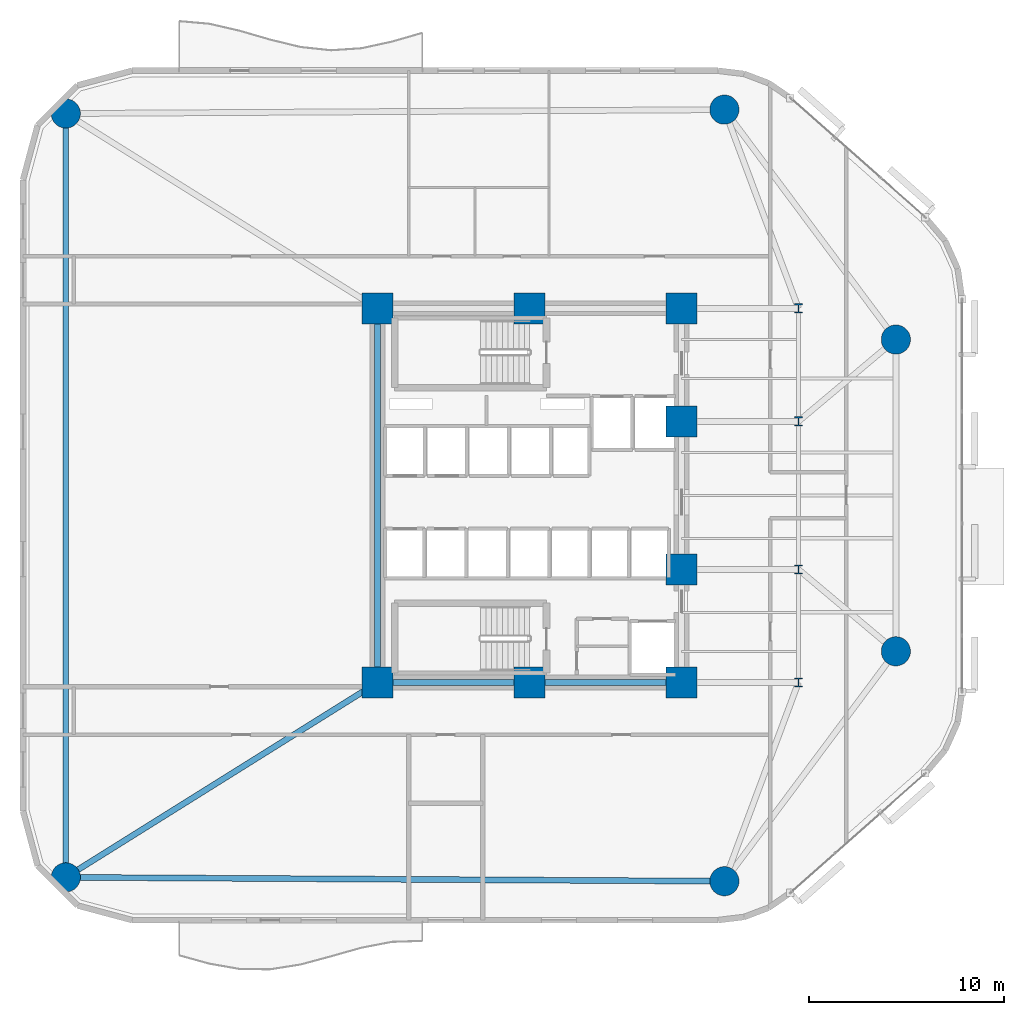
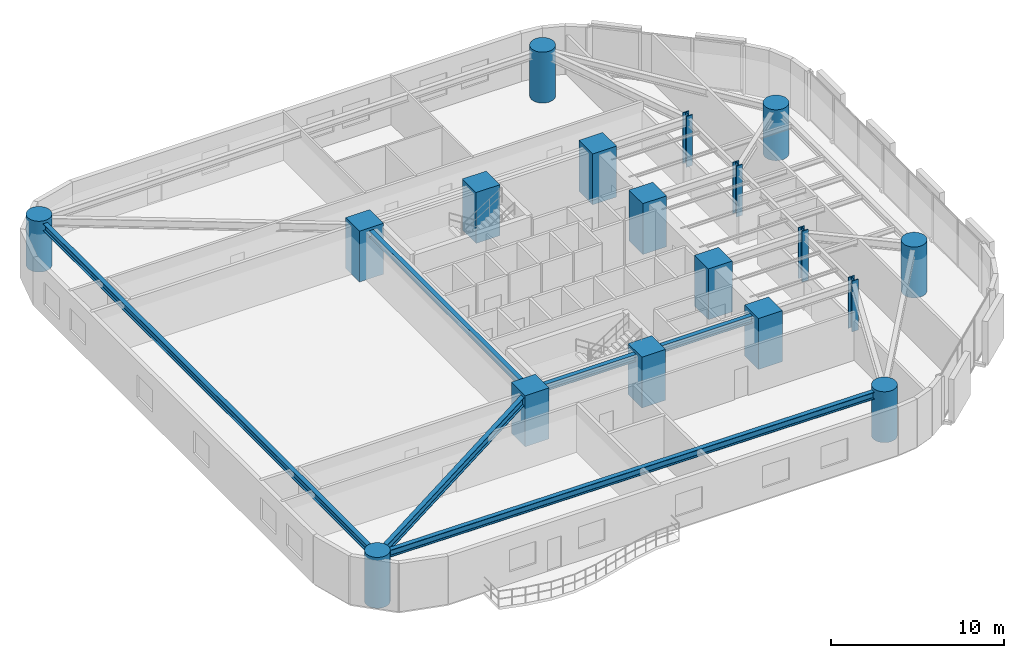
# One storey, part 1 of 15: 18 columns, 5 beams.
"""IFC4 building model written with IfcOpenShell, lengths in metres."""

from ifc_helpers import new_model, si_unit, direction, frame, origin, origin_2d, place, context, subcontext, project, spatial, rectangle, circle, i_section, extrude, material, material_profile, profile_set, type_object, element, save


model = new_model("IFC4")

# Units and contexts
model_context = context("Model", 3, precision=1e-05, world=origin(), true_north=direction((0.0, 1.0)))
body_context = subcontext(model_context, "Body", "Model", "MODEL_VIEW")
ifc_project = project(units=[si_unit("LENGTHUNIT", "METRE"), si_unit("AREAUNIT", "SQUARE_METRE"), si_unit("VOLUMEUNIT", "CUBIC_METRE"), si_unit("PLANEANGLEUNIT", "RADIAN"), si_unit("MASSUNIT", "GRAM", prefix="KILO")], contexts=[model_context])

# Site, building, storey
site_placement = place(None, origin())
site = spatial("IfcSite", under=ifc_project, at=site_placement, CompositionType="ELEMENT")
building_placement = place(site_placement, origin())
building = spatial("IfcBuilding", under=site, at=building_placement, Name="An Khanh Terracotta Commons", CompositionType="ELEMENT")
storey_placement = place(building_placement, frame((0.0, 0.0, 61.199951171875)))
storey = spatial("IfcBuildingStorey", under=building, at=storey_placement, Name="L16", CompositionType="ELEMENT", Elevation=61.199951171875)

# Columns
ifc_material_1 = material(Name="Concrete C70/85", Category="concrete")
ifc_material_profile_1 = material_profile(ifc_material_1, circle(Radius=0.75, at=origin_2d()), Name="CFST1500")
ifc_profile_set_1 = profile_set([ifc_material_profile_1], Name="Concrete C70/85")
column_type_1 = type_object("IfcColumnType", Name="COL-CFST1500", PredefinedType="COLUMN", material=ifc_profile_set_1)
for number, where, z_axis, x_axis, name in (
    (1, (5.60009765625, 4.39990234375, 0.0), (0.0, 0.0, 1.0), (1.0, 0.0, 0.0), "L16 Perimeter CFST Mega-Column MC-01"),
    (2, (39.39990234375, 4.199951171875, 0.0), (0.0, 0.0, 1.0), (1.0, 0.0, 0.0), "L16 Perimeter CFST Mega-Column MC-02"),
    (3, (48.199951171875, 16.0, 0.0), (0.0, 0.0, 1.0), (1.0, 0.0, 0.0), "L16 Perimeter CFST Mega-Column MC-03"),
    (4, (48.199951171875, 32.0, 0.0), (0.0, 0.0, 1.0), (1.0, 0.0, 0.0), "L16 Perimeter CFST Mega-Column MC-04"),
    (5, (39.39990234375, 43.800048828125, 0.0), (0.0, 0.0, 1.0), (1.0, 0.0, 0.0), "L16 Perimeter CFST Mega-Column MC-05"),
    (6, (5.60009765625, 43.60009765625, 0.0), (0.0, 0.0, 1.0), (1.0, 0.0, 0.0), "L16 Perimeter CFST Mega-Column MC-06"),
):
    element("IfcColumn", number, at=place(storey_placement, frame(where, z_axis=z_axis, x_axis=x_axis)), inside=storey, type_object=column_type_1, Name=name, PredefinedType="COLUMN", context=body_context, shape_type="SweptSolid", body=[
        extrude(circle(Radius=0.75, at=origin_2d()), origin(), (0.0, 0.0, 1.0), 3.60009765625),
    ])
ifc_material_2 = material(Name="Steel S460ML", Category="steel")
ifc_material_profile_2 = material_profile(ifc_material_2, i_section(OverallWidth=0.4169921875, OverallDepth=0.47705078125, WebThickness=0.035888671875, FlangeThickness=0.057373046875, FilletRadius=0.014892578125, at=origin_2d()), Name="HD400x463")
ifc_profile_set_2 = profile_set([ifc_material_profile_2], Name="Steel S460ML")
column_type_2 = type_object("IfcColumnType", Name="COL-HD400x463", PredefinedType="COLUMN", material=ifc_profile_set_2)
for number, where, z_axis, x_axis, name in (
    (7, (43.199951171875, 14.39990234375, 0.0), (0.0, 0.0, 1.0), (1.0, 0.0, 0.0), "L16 Interior Frame Column TC-01"),
    (8, (43.199951171875, 20.199951171875, 0.0), (0.0, 0.0, 1.0), (1.0, 0.0, 0.0), "L16 Interior Frame Column TC-02"),
    (9, (43.199951171875, 27.800048828125, 0.0), (0.0, 0.0, 1.0), (1.0, 0.0, 0.0), "L16 Interior Frame Column TC-03"),
    (10, (43.199951171875, 33.60009765625, 0.0), (0.0, 0.0, 1.0), (1.0, 0.0, 0.0), "L16 Interior Frame Column TC-04"),
):
    element("IfcColumn", number, at=place(storey_placement, frame(where, z_axis=z_axis, x_axis=x_axis)), inside=storey, type_object=column_type_2, Name=name, PredefinedType="COLUMN", context=body_context, shape_type="SweptSolid", body=[
        extrude(i_section(OverallWidth=0.4169921875, OverallDepth=0.47705078125, WebThickness=0.035888671875, FlangeThickness=0.057373046875, FilletRadius=0.014892578125, at=origin_2d()), origin(), (0.0, 0.0, 1.0), 3.60009765625),
    ])
ifc_material_profile_3 = material_profile(ifc_material_1, rectangle(XDim=1.60009765625, YDim=1.60009765625, at=origin_2d()), Name="RC1600x1600")
ifc_profile_set_3 = profile_set([ifc_material_profile_3], Name="Concrete C70/85")
column_type_3 = type_object("IfcColumnType", Name="COL-RC1600x1600", PredefinedType="COLUMN", material=ifc_profile_set_3)
for number, where, z_axis, x_axis, name in (
    (11, (21.60009765625, 14.39990234375, 0.0), (0.0, 0.0, 1.0), (1.0, 0.0, 0.0), "L16 Core Boundary Column CC-01"),
    (12, (29.39990234375, 14.39990234375, 0.0), (0.0, 0.0, 1.0), (1.0, 0.0, 0.0), "L16 Core Boundary Column CC-02"),
    (13, (37.199951171875, 14.39990234375, 0.0), (0.0, 0.0, 1.0), (1.0, 0.0, 0.0), "L16 Core Boundary Column CC-03"),
    (14, (37.199951171875, 20.199951171875, 0.0), (0.0, 0.0, 1.0), (1.0, 0.0, 0.0), "L16 Core Boundary Column CC-04"),
    (15, (37.199951171875, 27.800048828125, 0.0), (0.0, 0.0, 1.0), (1.0, 0.0, 0.0), "L16 Core Boundary Column CC-05"),
    (16, (37.199951171875, 33.60009765625, 0.0), (0.0, 0.0, 1.0), (1.0, 0.0, 0.0), "L16 Core Boundary Column CC-06"),
    (17, (29.39990234375, 33.60009765625, 0.0), (0.0, 0.0, 1.0), (1.0, 0.0, 0.0), "L16 Core Boundary Column CC-07"),
    (18, (21.60009765625, 33.60009765625, 0.0), (0.0, 0.0, 1.0), (1.0, 0.0, 0.0), "L16 Core Boundary Column CC-08"),
):
    element("IfcColumn", number, at=place(storey_placement, frame(where, z_axis=z_axis, x_axis=x_axis)), inside=storey, type_object=column_type_3, Name=name, PredefinedType="COLUMN", context=body_context, shape_type="SweptSolid", body=[
        extrude(rectangle(XDim=1.60009765625, YDim=1.60009765625, at=origin_2d()), origin(), (0.0, 0.0, 1.0), 3.60009765625),
    ])

# Beams
ifc_material_3 = material(Name="Steel S355J2", Category="steel")
ifc_material_profile_4 = material_profile(ifc_material_3, i_section(OverallWidth=0.300048828125, OverallDepth=0.449951171875, WebThickness=0.013916015625, FlangeThickness=0.02587890625, FilletRadius=0.027099609375, at=origin_2d()), Name="HEB450")
ifc_profile_set_4 = profile_set([ifc_material_profile_4], Name="Steel S355J2")
beam_type_1 = type_object("IfcBeamType", Name="BM-HEB450", PredefinedType="BEAM", material=ifc_profile_set_4)
beam_1_placement = place(storey_placement, frame((21.60009765625, 14.39990234375, 3.175048828125), z_axis=(0.0, 1.0, 0.0), x_axis=(-1.0, 0.0, 0.0)))
element("IfcBeam", 19, at=beam_1_placement, inside=storey, type_object=beam_type_1, Name="L16 Core West Coupling Girder", PredefinedType="BEAM", context=body_context, shape_type="SweptSolid", body=[
    extrude(i_section(OverallWidth=0.300048828125, OverallDepth=0.449951171875, WebThickness=0.013916015625, FlangeThickness=0.02587890625, FilletRadius=0.027099609375, at=origin_2d()), origin(), (0.0, 0.0, 1.0), 19.2001953125),
])
ifc_material_profile_5 = material_profile(ifc_material_3, i_section(OverallWidth=0.300048828125, OverallDepth=0.5, WebThickness=0.014404296875, FlangeThickness=0.028076171875, FilletRadius=0.027099609375, at=origin_2d()), Name="HEB500")
ifc_profile_set_5 = profile_set([ifc_material_profile_5], Name="Steel S355J2")
beam_type_2 = type_object("IfcBeamType", Name="BM-HEB500", PredefinedType="BEAM", material=ifc_profile_set_5)
beam_2_placement = place(storey_placement, frame((21.60009765625, 14.39990234375, 3.150146484375), z_axis=(1.0, 0.0, 0.0), x_axis=(0.0, 1.0, 0.0)))
element("IfcBeam", 20, at=beam_2_placement, inside=storey, type_object=beam_type_2, Name="L16 Core South Coupling Girder", PredefinedType="BEAM", context=body_context, shape_type="SweptSolid", body=[
    extrude(i_section(OverallWidth=0.300048828125, OverallDepth=0.5, WebThickness=0.014404296875, FlangeThickness=0.028076171875, FilletRadius=0.027099609375, at=origin_2d()), origin(), (0.0, 0.0, 1.0), 15.599853515625),
])
beam_3_placement = place(storey_placement, frame((5.60009765625, 4.39990234375, 3.150146484375), z_axis=(0.999982502414, -0.005915645817, 0.0), x_axis=(0.005915645817, 0.999982502414, 0.0)))
element("IfcBeam", 21, at=beam_3_placement, inside=storey, type_object=beam_type_2, Name="L16 Perimeter Ring Spandrel 1", PredefinedType="BEAM", context=body_context, shape_type="SweptSolid", body=[
    extrude(i_section(OverallWidth=0.300048828125, OverallDepth=0.5, WebThickness=0.014404296875, FlangeThickness=0.028076171875, FilletRadius=0.027099609375, at=origin_2d()), origin(), (0.0, 0.0, 1.0), 33.80029296875),
])
beam_4_placement = place(storey_placement, frame((5.60009765625, 43.60009765625, 3.150146484375), z_axis=(0.0, -1.0, 0.0), x_axis=(1.0, 0.0, 0.0)))
element("IfcBeam", 22, at=beam_4_placement, inside=storey, type_object=beam_type_2, Name="L16 Perimeter Ring Spandrel 6", PredefinedType="BEAM", context=body_context, shape_type="SweptSolid", body=[
    extrude(i_section(OverallWidth=0.300048828125, OverallDepth=0.5, WebThickness=0.014404296875, FlangeThickness=0.028076171875, FilletRadius=0.027099609375, at=origin_2d()), origin(), (0.0, 0.0, 1.0), 39.2001953125),
])
ifc_material_profile_6 = material_profile(ifc_material_3, i_section(OverallWidth=0.300048828125, OverallDepth=0.60009765625, WebThickness=0.015380859375, FlangeThickness=0.030029296875, FilletRadius=0.027099609375, at=origin_2d()), Name="HEB600")
ifc_profile_set_6 = profile_set([ifc_material_profile_6], Name="Steel S355J2")
beam_type_3 = type_object("IfcBeamType", Name="BM-HEB600", PredefinedType="BEAM", material=ifc_profile_set_6)
beam_5_placement = place(storey_placement, frame((5.60009765625, 4.39990234375, 3.10009765625), z_axis=(0.847998304005, 0.529998940003, 0.0), x_axis=(-0.529998940003, 0.847998304005, 0.0)))
element("IfcBeam", 23, at=beam_5_placement, inside=storey, type_object=beam_type_3, Name="L16 Mega-Column Tie Girder 1", PredefinedType="BEAM", context=body_context, shape_type="SweptSolid", body=[
    extrude(i_section(OverallWidth=0.300048828125, OverallDepth=0.60009765625, WebThickness=0.015380859375, FlangeThickness=0.030029296875, FilletRadius=0.027099609375, at=origin_2d()), origin(), (0.0, 0.0, 1.0), 18.867919921875),
])

save(model, "model.ifc")
